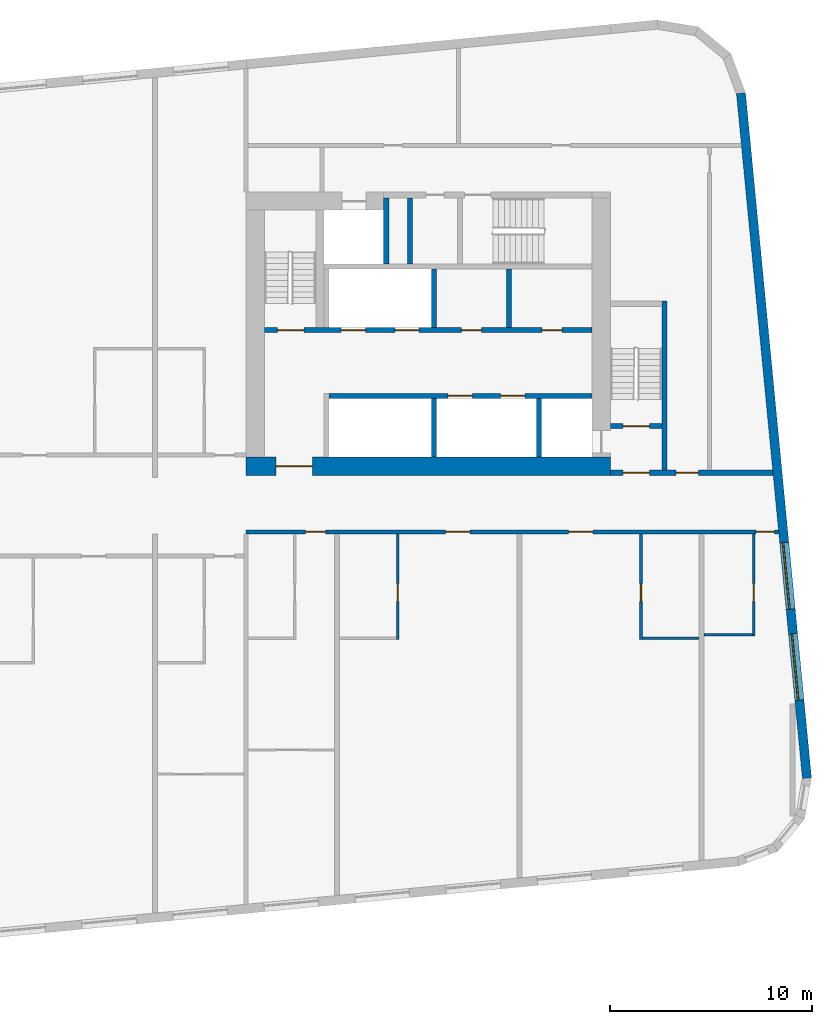
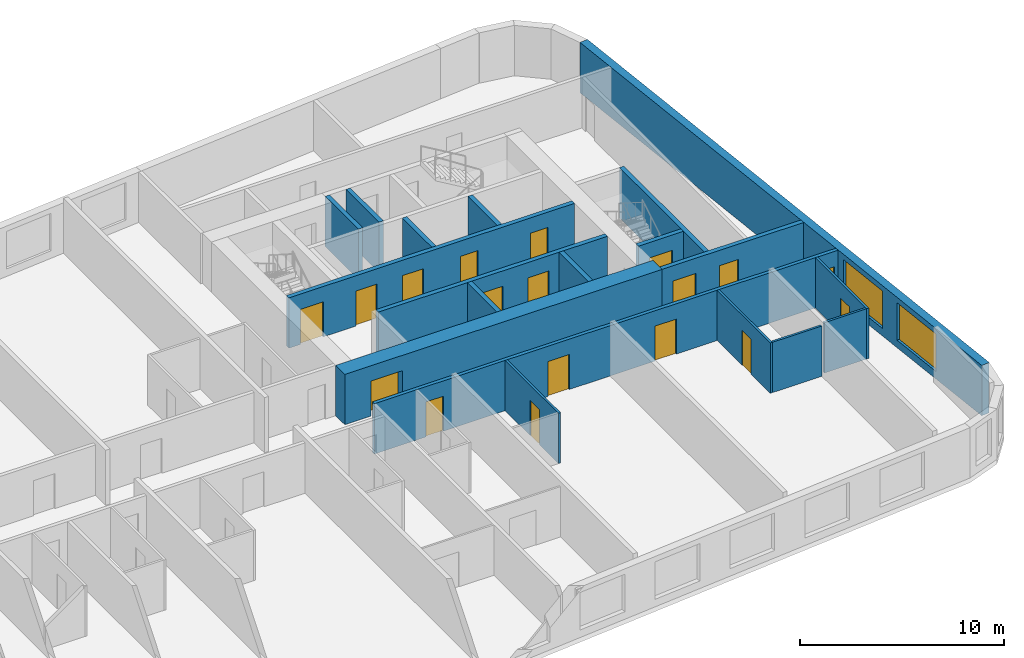
# One storey, part 7 of 12: 19 walls, 18 doors, 2 windows, 20 openings.
"""IFC4 building model written with IfcOpenShell, lengths in metres."""

from ifc_helpers import new_model, si_unit, direction, frame, frame_2d, origin, place, context, subcontext, project, spatial, rectangle, extrude, material, layer, layer_set, type_object, element, fill, save


model = new_model("IFC4")

# Units and contexts
model_context = context("Model", 3, precision=1e-05, world=origin(), true_north=direction((0.0, 1.0)))
body_context = subcontext(model_context, "Body", "Model", "MODEL_VIEW")
ifc_project = project(units=[si_unit("LENGTHUNIT", "METRE"), si_unit("AREAUNIT", "SQUARE_METRE"), si_unit("VOLUMEUNIT", "CUBIC_METRE"), si_unit("PLANEANGLEUNIT", "RADIAN"), si_unit("MASSUNIT", "GRAM", prefix="KILO")], contexts=[model_context])

# Site, building, storey
site_placement = place(None, origin())
site = spatial("IfcSite", under=ifc_project, at=site_placement, CompositionType="ELEMENT")
building_placement = place(site_placement, origin())
building = spatial("IfcBuilding", under=site, at=building_placement, Name="Kajstack Hotel Tower", CompositionType="ELEMENT")
storey_placement = place(building_placement, frame((0.0, 0.0, 183.39990234375)))
storey = spatial("IfcBuildingStorey", under=building, at=storey_placement, Name="L43", CompositionType="ELEMENT", Elevation=183.39990234375)

# Wall, opening, door
ifc_material_1 = material(Name="Concrete C60/75", Category="concrete")
ifc_layer_1 = layer(ifc_material_1, 0.89990234375)
ifc_layer_set_1 = layer_set([ifc_layer_1], Name="Core wall 900")
wall_type_1 = type_object("IfcWallType", Name="Core wall 900", PredefinedType="SHEAR", material=ifc_layer_set_1)
wall_1_placement = place(storey_placement, frame((13.5, 1.949951171875, 0.0), z_axis=(0.0, 0.0, 1.0), x_axis=(1.0, 0.0, 0.0)))
wall_1 = element("IfcWall", 1, at=wall_1_placement, inside=storey, type_object=wall_type_1, Name="Core wall E RN", PredefinedType="SHEAR", context=body_context, shape_type="SweptSolid", body=[
    extrude(rectangle(XDim=18.0, YDim=0.89990234375, at=frame_2d((9.0, 0.0))), origin(), (0.0, 0.0, 1.0), 3.02001953125),
])
opening_1_placement = place(wall_1_placement, frame((1.47509765625, 0.0, 0.0)))
opening_1 = element("IfcOpeningElement", 2, at=opening_1_placement, cuts=wall_1, Name="Opening 43E07", PredefinedType="OPENING", context=body_context, shape_type="SweptSolid", body=[
    extrude(rectangle(XDim=1.800048828125, YDim=2.10009765625, at=frame_2d((0.89990234375, 1.050048828125))), frame((0.0, 0.4599609375, 0.0), z_axis=(0.0, -1.0, 0.0), x_axis=(1.0, 0.0, 0.0)), (0.0, 0.0, 1.0), 0.919921875),
])
ifc_material_2 = material(Name="Glazed steel frame, fire-rated glass", Category="steel")
door_type_1 = type_object("IfcDoorType", Name="Lobby double door 1800", OperationType="DOUBLE_DOOR_DOUBLE_SWING", PredefinedType="DOOR", material=ifc_material_2)
door_1_placement = place(opening_1_placement, origin())
door_1 = element("IfcDoor", 3, at=door_1_placement, inside=storey, type_object=door_type_1, Name="Door 43E07", OperationType="DOUBLE_DOOR_DOUBLE_SWING", OverallHeight=2.10009765625, OverallWidth=1.800048828125, PredefinedType="DOOR", context=body_context, shape_type="SweptSolid", body=[
    extrude(rectangle(XDim=1.800048828125, YDim=2.10009765625, at=frame_2d((0.89990234375, 1.050048828125))), frame((0.0, 0.02490234375, 0.0), z_axis=(0.0, -1.0, 0.0), x_axis=(1.0, 0.0, 0.0)), (0.0, 0.0, 1.0), 0.050048828125),
])
fill(opening_1, door_1)

# Wall, openings, doors
ifc_material_3 = material(Name="Gypsum board on steel studs, mineral wool", Category="steel")
ifc_layer_2 = layer(ifc_material_3, 0.199951171875)
ifc_layer_set_2 = layer_set([ifc_layer_2], Name="Corridor wall 200")
wall_type_2 = type_object("IfcWallType", Name="Corridor wall 200", PredefinedType="PARTITIONING", material=ifc_layer_set_2)
wall_2_placement = place(storey_placement, frame((13.5, -1.300048828125, 0.0), z_axis=(0.0, 0.0, 1.0), x_axis=(1.0, 0.0, 0.0)))
wall_2 = element("IfcWall", 4, at=wall_2_placement, inside=storey, type_object=wall_type_2, Name="G-wall-L43-026", PredefinedType="PARTITIONING", context=body_context, shape_type="SweptSolid", body=[
    extrude(rectangle(XDim=26.31689453125, YDim=0.199951171875, at=frame_2d((13.158447265625, 0.0))), origin(), (0.0, 0.0, 1.0), 3.02001953125),
])
opening_2_placement = place(wall_2_placement, frame((2.925048828125, 0.0, 0.0)))
opening_2 = element("IfcOpeningElement", 5, at=opening_2_placement, cuts=wall_2, Name="Opening 43031", PredefinedType="OPENING", context=body_context, shape_type="SweptSolid", body=[
    extrude(rectangle(XDim=1.0, YDim=2.10009765625, at=frame_2d((0.5, 1.050048828125))), frame((0.0, 0.10986328125, 0.0), z_axis=(0.0, -1.0, 0.0), x_axis=(1.0, 0.0, 0.0)), (0.0, 0.0, 1.0), 0.219970703125),
])
opening_3_placement = place(wall_2_placement, frame((9.862060546875, 0.0, 0.0)))
opening_3 = element("IfcOpeningElement", 6, at=opening_3_placement, cuts=wall_2, Name="Opening 43034", PredefinedType="OPENING", context=body_context, shape_type="SweptSolid", body=[
    extrude(rectangle(XDim=1.199951171875, YDim=2.10009765625, at=frame_2d((0.60009765625, 1.050048828125))), frame((0.0, 0.10986328125, 0.0), z_axis=(0.0, -1.0, 0.0), x_axis=(1.0, 0.0, 0.0)), (0.0, 0.0, 1.0), 0.219970703125),
])
opening_4_placement = place(wall_2_placement, frame((15.93798828125, 0.0, 0.0)))
opening_4 = element("IfcOpeningElement", 7, at=opening_4_placement, cuts=wall_2, Name="Opening 43036", PredefinedType="OPENING", context=body_context, shape_type="SweptSolid", body=[
    extrude(rectangle(XDim=1.199951171875, YDim=2.10009765625, at=frame_2d((0.60009765625, 1.050048828125))), frame((0.0, 0.10986328125, 0.0), z_axis=(0.0, -1.0, 0.0), x_axis=(1.0, 0.0, 0.0)), (0.0, 0.0, 1.0), 0.219970703125),
])
opening_5_placement = place(wall_2_placement, frame((25.2080078125, 0.0, 0.0)))
opening_5 = element("IfcOpeningElement", 8, at=opening_5_placement, cuts=wall_2, Name="Opening 43038", PredefinedType="OPENING", context=body_context, shape_type="SweptSolid", body=[
    extrude(rectangle(XDim=0.89990234375, YDim=2.10009765625, at=frame_2d((0.449951171875, 1.050048828125))), frame((0.0, 0.10986328125, 0.0), z_axis=(0.0, -1.0, 0.0), x_axis=(1.0, 0.0, 0.0)), (0.0, 0.0, 1.0), 0.219970703125),
])
ifc_material_4 = material(Name="Oak veneer on timber core, fire-rated leaf", Category="wood")
door_type_2 = type_object("IfcDoorType", Name="Flat entrance door 1000", OperationType="SINGLE_SWING_LEFT", PredefinedType="DOOR", material=ifc_material_4)
door_2_placement = place(opening_2_placement, origin())
door_2 = element("IfcDoor", 9, at=door_2_placement, inside=storey, type_object=door_type_2, Name="G-door-L43-31", OperationType="SINGLE_SWING_LEFT", OverallHeight=2.10009765625, OverallWidth=1.0, PredefinedType="DOOR", context=body_context, shape_type="SweptSolid", body=[
    extrude(rectangle(XDim=1.0, YDim=2.10009765625, at=frame_2d((0.5, 1.050048828125))), frame((0.0, 0.02490234375, 0.0), z_axis=(0.0, -1.0, 0.0), x_axis=(1.0, 0.0, 0.0)), (0.0, 0.0, 1.0), 0.050048828125),
])
fill(opening_2, door_2)
door_type_3 = type_object("IfcDoorType", Name="Flat entrance door 1200", OperationType="SINGLE_SWING_LEFT", PredefinedType="DOOR", material=ifc_material_4)
door_3_placement = place(opening_3_placement, origin())
door_3 = element("IfcDoor", 10, at=door_3_placement, inside=storey, type_object=door_type_3, Name="G-door-L43-34", OperationType="SINGLE_SWING_LEFT", OverallHeight=2.10009765625, OverallWidth=1.199951171875, PredefinedType="DOOR", context=body_context, shape_type="SweptSolid", body=[
    extrude(rectangle(XDim=1.199951171875, YDim=2.10009765625, at=frame_2d((0.60009765625, 1.050048828125))), frame((0.0, 0.02490234375, 0.0), z_axis=(0.0, -1.0, 0.0), x_axis=(1.0, 0.0, 0.0)), (0.0, 0.0, 1.0), 0.050048828125),
])
fill(opening_3, door_3)
door_4_placement = place(opening_4_placement, origin())
door_4 = element("IfcDoor", 11, at=door_4_placement, inside=storey, type_object=door_type_3, Name="G-door-L43-36", OperationType="SINGLE_SWING_RIGHT", OverallHeight=2.10009765625, OverallWidth=1.199951171875, PredefinedType="DOOR", context=body_context, shape_type="SweptSolid", body=[
    extrude(rectangle(XDim=1.199951171875, YDim=2.10009765625, at=frame_2d((0.60009765625, 1.050048828125))), frame((0.0, 0.02490234375, 0.0), z_axis=(0.0, -1.0, 0.0), x_axis=(1.0, 0.0, 0.0)), (0.0, 0.0, 1.0), 0.050048828125),
])
fill(opening_4, door_4)
ifc_material_5 = material(Name="Painted timber door leaf", Category="wood")
door_type_4 = type_object("IfcDoorType", Name="Room door 900", OperationType="SINGLE_SWING_LEFT", PredefinedType="DOOR", material=ifc_material_5)
door_5_placement = place(opening_5_placement, origin())
door_5 = element("IfcDoor", 12, at=door_5_placement, inside=storey, type_object=door_type_4, Name="G-door-L43-38", OperationType="SINGLE_SWING_RIGHT", OverallHeight=2.10009765625, OverallWidth=0.89990234375, PredefinedType="DOOR", context=body_context, shape_type="SweptSolid", body=[
    extrude(rectangle(XDim=0.89990234375, YDim=2.10009765625, at=frame_2d((0.449951171875, 1.050048828125))), frame((0.0, 0.02490234375, 0.0), z_axis=(0.0, -1.0, 0.0), x_axis=(1.0, 0.0, 0.0)), (0.0, 0.0, 1.0), 0.050048828125),
])
fill(opening_5, door_5)

# Wall, openings, windows
ifc_material_6 = material(Name="Terracotta-faced brick masonry", Category="masonry")
ifc_layer_3 = layer(ifc_material_6, 0.449951171875)
ifc_layer_set_3 = layer_set([ifc_layer_3], Name="EW-TERRA")
wall_type_3 = type_object("IfcWallType", Name="EW-TERRA", PredefinedType="SOLIDWALL", material=ifc_layer_set_3)
wall_3_placement = place(storey_placement, frame((41.21435546875, -13.465576171875, 0.0), z_axis=(0.0, 0.0, 1.0), x_axis=(-0.095847314626, 0.995396047952, 0.0)))
wall_3 = element("IfcWall", 13, at=wall_3_placement, inside=storey, type_object=wall_type_3, Name="E-wall-L43-08-00", PredefinedType="SOLIDWALL", context=body_context, shape_type="SweptSolid", body=[
    extrude(rectangle(XDim=33.999755859375, YDim=0.449951171875, at=frame_2d((17.0, 0.0))), origin(), (0.0, 0.0, 1.0), 3.02001953125),
])
opening_6_placement = place(wall_3_placement, frame((3.869384765625, 0.0, 0.449951171875)))
opening_6 = element("IfcOpeningElement", 14, at=opening_6_placement, cuts=wall_3, Name="Opening W2", PredefinedType="OPENING", context=body_context, shape_type="SweptSolid", body=[
    extrude(rectangle(XDim=3.300048828125, YDim=2.25, at=frame_2d((1.64990234375, 1.125))), frame((0.0, 0.23486328125, 0.0), z_axis=(0.0, -1.0, 0.0), x_axis=(1.0, 0.0, 0.0)), (0.0, 0.0, 1.0), 0.469970703125),
])
opening_7_placement = place(wall_3_placement, frame((8.390380859375, 0.0, 0.449951171875)))
opening_7 = element("IfcOpeningElement", 15, at=opening_7_placement, cuts=wall_3, Name="Opening W2", PredefinedType="OPENING", context=body_context, shape_type="SweptSolid", body=[
    extrude(rectangle(XDim=3.300048828125, YDim=2.25, at=frame_2d((1.64990234375, 1.125))), frame((0.0, 0.23486328125, 0.0), z_axis=(0.0, -1.0, 0.0), x_axis=(1.0, 0.0, 0.0)), (0.0, 0.0, 1.0), 0.469970703125),
])
ifc_material_7 = material(Name="Timber-aluminium window, triple glazed", Category="wood")
window_type = type_object("IfcWindowType", Name="WG2", PartitioningType="SINGLE_PANEL", PredefinedType="WINDOW", material=ifc_material_7)
window_1_placement = place(opening_6_placement, origin())
window_1 = element("IfcWindow", 16, at=window_1_placement, inside=storey, type_object=window_type, Name="Window W2 L43-08", OverallHeight=2.25, OverallWidth=3.300048828125, PartitioningType="SINGLE_PANEL", PredefinedType="WINDOW", context=body_context, shape_type="SweptSolid", body=[
    extrude(rectangle(XDim=3.300048828125, YDim=2.25, at=frame_2d((1.64990234375, 1.125))), frame((0.0, 0.090087890625, 0.0), z_axis=(0.0, -1.0, 0.0), x_axis=(1.0, 0.0, 0.0)), (0.0, 0.0, 1.0), 0.06005859375),
])
fill(opening_6, window_1)
window_2_placement = place(opening_7_placement, origin())
window_2 = element("IfcWindow", 17, at=window_2_placement, inside=storey, type_object=window_type, Name="Window W2 L43-08", OverallHeight=2.25, OverallWidth=3.300048828125, PartitioningType="SINGLE_PANEL", PredefinedType="WINDOW", context=body_context, shape_type="SweptSolid", body=[
    extrude(rectangle(XDim=3.300048828125, YDim=2.25, at=frame_2d((1.64990234375, 1.125))), frame((0.0, 0.090087890625, 0.0), z_axis=(0.0, -1.0, 0.0), x_axis=(1.0, 0.0, 0.0)), (0.0, 0.0, 1.0), 0.06005859375),
])
fill(opening_7, window_2)

# Wall, opening, door
ifc_material_8 = material(Name="Gypsum board and tiled backer on steel studs", Category="steel")
ifc_layer_4 = layer(ifc_material_8, 0.125)
ifc_layer_set_4 = layer_set([ifc_layer_4], Name="En-suite wall 125")
wall_type_4 = type_object("IfcWallType", Name="En-suite wall 125", PredefinedType="PARTITIONING", material=ifc_layer_set_4)
wall_4_placement = place(storey_placement, frame((20.988037109375, -6.625, 0.0), z_axis=(0.0, 0.0, 1.0), x_axis=(0.0, 1.0, 0.0)))
wall_4 = element("IfcWall", 18, at=wall_4_placement, inside=storey, type_object=wall_type_4, Name="G-wall-L43-044", PredefinedType="PARTITIONING", context=body_context, shape_type="SweptSolid", body=[
    extrude(rectangle(XDim=5.22509765625, YDim=0.125, at=frame_2d((2.612548828125, 0.0))), origin(), (0.0, 0.0, 1.0), 3.02001953125),
])
opening_8_placement = place(wall_4_placement, frame((1.875, 0.0, 0.0)))
opening_8 = element("IfcOpeningElement", 19, at=opening_8_placement, cuts=wall_4, Name="Opening 43035", PredefinedType="OPENING", context=body_context, shape_type="SweptSolid", body=[
    extrude(rectangle(XDim=0.89990234375, YDim=2.10009765625, at=frame_2d((0.449951171875, 1.050048828125))), frame((0.0, 0.072509765625, 0.0), z_axis=(0.0, -1.0, 0.0), x_axis=(1.0, 0.0, 0.0)), (0.0, 0.0, 1.0), 0.14501953125),
])
door_6_placement = place(opening_8_placement, origin())
door_6 = element("IfcDoor", 20, at=door_6_placement, inside=storey, type_object=door_type_4, Name="G-door-L43-35", OperationType="SINGLE_SWING_RIGHT", OverallHeight=2.10009765625, OverallWidth=0.89990234375, PredefinedType="DOOR", context=body_context, shape_type="SweptSolid", body=[
    extrude(rectangle(XDim=0.89990234375, YDim=2.10009765625, at=frame_2d((0.449951171875, 1.050048828125))), frame((0.0, 0.02490234375, 0.0), z_axis=(0.0, -1.0, 0.0), x_axis=(1.0, 0.0, 0.0)), (0.0, 0.0, 1.0), 0.050048828125),
])
fill(opening_8, door_6)

wall_5_placement = place(storey_placement, frame((33.012939453125, -6.625, 0.0), z_axis=(0.0, 0.0, 1.0), x_axis=(0.0, 1.0, 0.0)))
wall_5 = element("IfcWall", 21, at=wall_5_placement, inside=storey, type_object=wall_type_4, Name="G-wall-L43-046", PredefinedType="PARTITIONING", context=body_context, shape_type="SweptSolid", body=[
    extrude(rectangle(XDim=5.22509765625, YDim=0.125, at=frame_2d((2.612548828125, 0.0))), origin(), (0.0, 0.0, 1.0), 3.02001953125),
])
opening_9_placement = place(wall_5_placement, frame((1.875, 0.0, 0.0)))
opening_9 = element("IfcOpeningElement", 22, at=opening_9_placement, cuts=wall_5, Name="Opening 43037", PredefinedType="OPENING", context=body_context, shape_type="SweptSolid", body=[
    extrude(rectangle(XDim=0.89990234375, YDim=2.10009765625, at=frame_2d((0.449951171875, 1.050048828125))), frame((0.0, 0.072509765625, 0.0), z_axis=(0.0, -1.0, 0.0), x_axis=(1.0, 0.0, 0.0)), (0.0, 0.0, 1.0), 0.14501953125),
])
door_7_placement = place(opening_9_placement, origin())
door_7 = element("IfcDoor", 23, at=door_7_placement, inside=storey, type_object=door_type_4, Name="G-door-L43-37", OperationType="SINGLE_SWING_LEFT", OverallHeight=2.10009765625, OverallWidth=0.89990234375, PredefinedType="DOOR", context=body_context, shape_type="SweptSolid", body=[
    extrude(rectangle(XDim=0.89990234375, YDim=2.10009765625, at=frame_2d((0.449951171875, 1.050048828125))), frame((0.0, 0.02490234375, 0.0), z_axis=(0.0, -1.0, 0.0), x_axis=(1.0, 0.0, 0.0)), (0.0, 0.0, 1.0), 0.050048828125),
])
fill(opening_9, door_7)

# Wall
wall_6_placement = place(storey_placement, frame((33.074951171875, -6.56201171875, 0.0), z_axis=(0.0, 0.0, 1.0), x_axis=(1.0, 0.0, 0.0)))
element("IfcWall", 24, at=wall_6_placement, inside=storey, type_object=wall_type_4, Name="G-wall-L43-047", PredefinedType="PARTITIONING", context=body_context, shape_type="SweptSolid", body=[
    extrude(rectangle(XDim=2.800048828125, YDim=0.125, at=frame_2d((1.39990234375, 0.0))), origin(), (0.0, 0.0, 1.0), 3.02001953125),
])

# Wall, opening, door
wall_7_placement = place(storey_placement, frame((38.5869140625, -6.445068359375, 0.0), z_axis=(0.0, 0.0, 1.0), x_axis=(0.0, 1.0, 0.0)))
wall_7 = element("IfcWall", 25, at=wall_7_placement, inside=storey, type_object=wall_type_4, Name="G-wall-L43-048", PredefinedType="PARTITIONING", context=body_context, shape_type="SweptSolid", body=[
    extrude(rectangle(XDim=5.045166015625, YDim=0.125, at=frame_2d((2.5224609375, 0.0))), origin(), (0.0, 0.0, 1.0), 3.02001953125),
])
opening_10_placement = place(wall_7_placement, frame((1.695068359375, 0.0, 0.0)))
opening_10 = element("IfcOpeningElement", 26, at=opening_10_placement, cuts=wall_7, Name="Opening 43039", PredefinedType="OPENING", context=body_context, shape_type="SweptSolid", body=[
    extrude(rectangle(XDim=0.89990234375, YDim=2.10009765625, at=frame_2d((0.449951171875, 1.050048828125))), frame((0.0, 0.072509765625, 0.0), z_axis=(0.0, -1.0, 0.0), x_axis=(1.0, 0.0, 0.0)), (0.0, 0.0, 1.0), 0.14501953125),
])
door_8_placement = place(opening_10_placement, origin())
door_8 = element("IfcDoor", 27, at=door_8_placement, inside=storey, type_object=door_type_4, Name="G-door-L43-39", OperationType="SINGLE_SWING_LEFT", OverallHeight=2.10009765625, OverallWidth=0.89990234375, PredefinedType="DOOR", context=body_context, shape_type="SweptSolid", body=[
    extrude(rectangle(XDim=0.89990234375, YDim=2.10009765625, at=frame_2d((0.449951171875, 1.050048828125))), frame((0.0, 0.02490234375, 0.0), z_axis=(0.0, -1.0, 0.0), x_axis=(1.0, 0.0, 0.0)), (0.0, 0.0, 1.0), 0.050048828125),
])
fill(opening_10, door_8)

# Walls
wall_8_placement = place(storey_placement, frame((36.125, -6.382080078125, 0.0), z_axis=(0.0, 0.0, 1.0), x_axis=(1.0, 0.0, 0.0)))
element("IfcWall", 28, at=wall_8_placement, inside=storey, type_object=wall_type_4, Name="G-wall-L43-049", PredefinedType="PARTITIONING", context=body_context, shape_type="SweptSolid", body=[
    extrude(rectangle(XDim=2.39990234375, YDim=0.125, at=frame_2d((1.199951171875, 0.0))), origin(), (0.0, 0.0, 1.0), 3.02001953125),
])
ifc_material_9 = material(Name="Concrete C50/60", Category="concrete")
ifc_layer_5 = layer(ifc_material_9, 0.300048828125)
ifc_layer_set_5 = layer_set([ifc_layer_5], Name="Hoistway divider wall 300")
wall_type_5 = type_object("IfcWallType", Name="Hoistway divider wall 300", PredefinedType="SHEAR", material=ifc_layer_set_5)
wall_9_placement = place(storey_placement, frame((22.77490234375, 2.39990234375, 0.0), z_axis=(0.0, 0.0, 1.0), x_axis=(0.0, 1.0, 0.0)))
element("IfcWall", 29, at=wall_9_placement, inside=storey, type_object=wall_type_5, Name="Core wall E AP2", PredefinedType="SHEAR", context=body_context, shape_type="SweptSolid", body=[
    extrude(rectangle(XDim=2.900146484375, YDim=0.25, at=frame_2d((1.4501953125, 0.0))), origin(), (0.0, 0.0, 1.0), 3.02001953125),
])
wall_10_placement = place(storey_placement, frame((22.77490234375, 8.800048828125, 0.0), z_axis=(0.0, 0.0, 1.0), x_axis=(0.0, 1.0, 0.0)))
element("IfcWall", 30, at=wall_10_placement, inside=storey, type_object=wall_type_5, Name="Core wall E BP2", PredefinedType="SHEAR", context=body_context, shape_type="SweptSolid", body=[
    extrude(rectangle(XDim=2.89990234375, YDim=0.25, at=frame_2d((1.449951171875, 0.0))), origin(), (0.0, 0.0, 1.0), 3.02001953125),
])
ifc_material_10 = material(Name="Concrete block masonry", Category="masonry")
ifc_layer_6 = layer(ifc_material_10, 0.25)
ifc_layer_set_6 = layer_set([ifc_layer_6], Name="Riser partition 250")
wall_type_6 = type_object("IfcWallType", Name="Riser partition 250", PredefinedType="PARTITIONING", material=ifc_layer_set_6)
wall_11_placement = place(storey_placement, frame((26.5, 8.800048828125, 0.0), z_axis=(0.0, 0.0, 1.0), x_axis=(0.0, 1.0, 0.0)))
element("IfcWall", 31, at=wall_11_placement, inside=storey, type_object=wall_type_6, Name="Partition E BF0", PredefinedType="PARTITIONING", context=body_context, shape_type="SweptSolid", body=[
    extrude(rectangle(XDim=2.89990234375, YDim=0.25, at=frame_2d((1.449951171875, 0.0))), origin(), (0.0, 0.0, 1.0), 3.02001953125),
])
wall_12_placement = place(storey_placement, frame((21.60009765625, 11.949951171875, 0.0), z_axis=(0.0, 0.0, 1.0), x_axis=(0.0, 1.0, 0.0)))
element("IfcWall", 32, at=wall_12_placement, inside=storey, type_object=wall_type_6, Name="Partition E SZ0", PredefinedType="PARTITIONING", context=body_context, shape_type="SweptSolid", body=[
    extrude(rectangle(XDim=3.25, YDim=0.25, at=frame_2d((1.625, 0.0))), origin(), (0.0, 0.0, 1.0), 3.02001953125),
])

# Wall, openings, doors
ifc_layer_7 = layer(ifc_material_3, 0.199951171875)
ifc_layer_set_7 = layer_set([ifc_layer_7], Name="Service partition 200")
wall_type_7 = type_object("IfcWallType", Name="Service partition 200", PredefinedType="PARTITIONING", material=ifc_layer_set_7)
wall_13_placement = place(storey_placement, frame((31.5, 1.625, 0.0), z_axis=(0.0, 0.0, 1.0), x_axis=(1.0, 0.0, 0.0)))
wall_13 = element("IfcWall", 33, at=wall_13_placement, inside=storey, type_object=wall_type_7, Name="Partition E SN", PredefinedType="PARTITIONING", context=body_context, shape_type="SweptSolid", body=[
    extrude(rectangle(XDim=8.035400390625, YDim=0.25, at=frame_2d((4.017578125, 0.0))), origin(), (0.0, 0.0, 1.0), 3.02001953125),
])
opening_11_placement = place(wall_13_placement, frame((0.625, 0.0, 0.0)))
opening_11 = element("IfcOpeningElement", 34, at=opening_11_placement, cuts=wall_13, Name="Opening 43E08", PredefinedType="OPENING", context=body_context, shape_type="SweptSolid", body=[
    extrude(rectangle(XDim=1.300048828125, YDim=2.10009765625, at=frame_2d((0.64990234375, 1.050048828125))), frame((0.0, 0.135009765625, 0.0), z_axis=(0.0, -1.0, 0.0), x_axis=(1.0, 0.0, 0.0)), (0.0, 0.0, 1.0), 0.27001953125),
])
opening_12_placement = place(wall_13_placement, frame((3.25, 0.0, 0.0)))
opening_12 = element("IfcOpeningElement", 35, at=opening_12_placement, cuts=wall_13, Name="Opening 43E10", PredefinedType="OPENING", context=body_context, shape_type="SweptSolid", body=[
    extrude(rectangle(XDim=1.10009765625, YDim=2.10009765625, at=frame_2d((0.550048828125, 1.050048828125))), frame((0.0, 0.135009765625, 0.0), z_axis=(0.0, -1.0, 0.0), x_axis=(1.0, 0.0, 0.0)), (0.0, 0.0, 1.0), 0.27001953125),
])
ifc_material_11 = material(Name="Steel leaf, fire-rated", Category="steel")
door_type_5 = type_object("IfcDoorType", Name="Fire lobby door 1300", OperationType="SINGLE_SWING_LEFT", PredefinedType="DOOR", material=ifc_material_11)
door_9_placement = place(opening_11_placement, origin())
door_9 = element("IfcDoor", 36, at=door_9_placement, inside=storey, type_object=door_type_5, Name="Door 43E08", OperationType="SINGLE_SWING_LEFT", OverallHeight=2.10009765625, OverallWidth=1.300048828125, PredefinedType="DOOR", context=body_context, shape_type="SweptSolid", body=[
    extrude(rectangle(XDim=1.300048828125, YDim=2.10009765625, at=frame_2d((0.64990234375, 1.050048828125))), frame((0.0, 0.02490234375, 0.0), z_axis=(0.0, -1.0, 0.0), x_axis=(1.0, 0.0, 0.0)), (0.0, 0.0, 1.0), 0.050048828125),
])
fill(opening_11, door_9)
ifc_material_12 = material(Name="Timber leaf, fire-rated", Category="wood")
door_type_6 = type_object("IfcDoorType", Name="Service corridor door 1100", OperationType="SINGLE_SWING_LEFT", PredefinedType="DOOR", material=ifc_material_12)
door_10_placement = place(opening_12_placement, origin())
door_10 = element("IfcDoor", 37, at=door_10_placement, inside=storey, type_object=door_type_6, Name="Door 43E10", OperationType="SINGLE_SWING_LEFT", OverallHeight=2.10009765625, OverallWidth=1.10009765625, PredefinedType="DOOR", context=body_context, shape_type="SweptSolid", body=[
    extrude(rectangle(XDim=1.10009765625, YDim=2.10009765625, at=frame_2d((0.550048828125, 1.050048828125))), frame((0.0, 0.02490234375, 0.0), z_axis=(0.0, -1.0, 0.0), x_axis=(1.0, 0.0, 0.0)), (0.0, 0.0, 1.0), 0.050048828125),
])
fill(opening_12, door_10)

ifc_layer_8 = layer(ifc_material_9, 0.25)
ifc_layer_set_8 = layer_set([ifc_layer_8], Name="Shaft wall 250")
wall_type_8 = type_object("IfcWallType", Name="Shaft wall 250", PredefinedType="SHEAR", material=ifc_layer_set_8)
wall_14_placement = place(storey_placement, frame((17.60009765625, 5.425048828125, 0.0), z_axis=(0.0, 0.0, 1.0), x_axis=(1.0, 0.0, 0.0)))
wall_14 = element("IfcWall", 38, at=wall_14_placement, inside=storey, type_object=wall_type_8, Name="Core wall E FA", PredefinedType="SHEAR", context=body_context, shape_type="SweptSolid", body=[
    extrude(rectangle(XDim=13.0, YDim=0.25, at=frame_2d((6.5, 0.0))), origin(), (0.0, 0.0, 1.0), 3.02001953125),
])
opening_13_placement = place(wall_14_placement, frame((8.47509765625, 0.0, 0.0)))
opening_13 = element("IfcOpeningElement", 39, at=opening_13_placement, cuts=wall_14, Name="Opening LD-MR7", PredefinedType="OPENING", context=body_context, shape_type="SweptSolid", body=[
    extrude(rectangle(XDim=1.199951171875, YDim=2.10009765625, at=frame_2d((0.60009765625, 1.050048828125))), frame((0.0, 0.135009765625, 0.0), z_axis=(0.0, -1.0, 0.0), x_axis=(1.0, 0.0, 0.0)), (0.0, 0.0, 1.0), 0.27001953125),
])
opening_14_placement = place(wall_14_placement, frame((5.875, 0.0, 0.0)))
opening_14 = element("IfcOpeningElement", 40, at=opening_14_placement, cuts=wall_14, Name="Opening LD-MR8", PredefinedType="OPENING", context=body_context, shape_type="SweptSolid", body=[
    extrude(rectangle(XDim=1.199951171875, YDim=2.10009765625, at=frame_2d((0.60009765625, 1.050048828125))), frame((0.0, 0.135009765625, 0.0), z_axis=(0.0, -1.0, 0.0), x_axis=(1.0, 0.0, 0.0)), (0.0, 0.0, 1.0), 0.27001953125),
])
ifc_material_13 = material(Name="Stainless steel", Category="steel")
door_type_7 = type_object("IfcDoorType", Name="Lift landing door 1200", OperationType="SLIDING_TO_LEFT", PredefinedType="DOOR", material=ifc_material_13)
door_11_placement = place(opening_13_placement, origin())
door_11 = element("IfcDoor", 41, at=door_11_placement, inside=storey, type_object=door_type_7, Name="Landing door MR7", OperationType="SLIDING_TO_LEFT", OverallHeight=2.10009765625, OverallWidth=1.199951171875, PredefinedType="DOOR", context=body_context, shape_type="SweptSolid", body=[
    extrude(rectangle(XDim=1.199951171875, YDim=2.10009765625, at=frame_2d((0.60009765625, 1.050048828125))), frame((0.0, 0.02490234375, 0.0), z_axis=(0.0, -1.0, 0.0), x_axis=(1.0, 0.0, 0.0)), (0.0, 0.0, 1.0), 0.050048828125),
])
fill(opening_13, door_11)
door_12_placement = place(opening_14_placement, origin())
door_12 = element("IfcDoor", 42, at=door_12_placement, inside=storey, type_object=door_type_7, Name="Landing door MR8", OperationType="SLIDING_TO_RIGHT", OverallHeight=2.10009765625, OverallWidth=1.199951171875, PredefinedType="DOOR", context=body_context, shape_type="SweptSolid", body=[
    extrude(rectangle(XDim=1.199951171875, YDim=2.10009765625, at=frame_2d((0.60009765625, 1.050048828125))), frame((0.0, 0.02490234375, 0.0), z_axis=(0.0, -1.0, 0.0), x_axis=(1.0, 0.0, 0.0)), (0.0, 0.0, 1.0), 0.050048828125),
])
fill(opening_14, door_12)

# Wall
wall_15_placement = place(storey_placement, frame((27.97509765625, 2.39990234375, 0.0), z_axis=(0.0, 0.0, 1.0), x_axis=(0.0, 1.0, 0.0)))
element("IfcWall", 43, at=wall_15_placement, inside=storey, type_object=wall_type_8, Name="Core wall E AP0", PredefinedType="SHEAR", context=body_context, shape_type="SweptSolid", body=[
    extrude(rectangle(XDim=2.900146484375, YDim=0.25, at=frame_2d((1.4501953125, 0.0))), origin(), (0.0, 0.0, 1.0), 3.02001953125),
])

# Wall, openings, doors
wall_16_placement = place(storey_placement, frame((14.39990234375, 8.675048828125, 0.0), z_axis=(0.0, 0.0, 1.0), x_axis=(1.0, 0.0, 0.0)))
wall_16 = element("IfcWall", 44, at=wall_16_placement, inside=storey, type_object=wall_type_8, Name="Core wall E FB", PredefinedType="SHEAR", context=body_context, shape_type="SweptSolid", body=[
    extrude(rectangle(XDim=16.2001953125, YDim=0.25, at=frame_2d((8.10009765625, 0.0))), origin(), (0.0, 0.0, 1.0), 3.02001953125),
])
opening_15_placement = place(wall_16_placement, frame((6.449951171875, 0.0, 0.0)))
opening_15 = element("IfcOpeningElement", 45, at=opening_15_placement, cuts=wall_16, Name="Opening LD-MR5", PredefinedType="OPENING", context=body_context, shape_type="SweptSolid", body=[
    extrude(rectangle(XDim=1.199951171875, YDim=2.10009765625, at=frame_2d((0.60009765625, 1.050048828125))), frame((0.0, 0.135009765625, 0.0), z_axis=(0.0, -1.0, 0.0), x_axis=(1.0, 0.0, 0.0)), (0.0, 0.0, 1.0), 0.27001953125),
])
opening_16_placement = place(wall_16_placement, frame((3.800048828125, 0.0, 0.0)))
opening_16 = element("IfcOpeningElement", 46, at=opening_16_placement, cuts=wall_16, Name="Opening LD-MR6", PredefinedType="OPENING", context=body_context, shape_type="SweptSolid", body=[
    extrude(rectangle(XDim=1.199951171875, YDim=2.10009765625, at=frame_2d((0.60009765625, 1.050048828125))), frame((0.0, 0.135009765625, 0.0), z_axis=(0.0, -1.0, 0.0), x_axis=(1.0, 0.0, 0.0)), (0.0, 0.0, 1.0), 0.27001953125),
])
opening_17_placement = place(wall_16_placement, frame((0.64990234375, 0.0, 0.0)))
opening_17 = element("IfcOpeningElement", 47, at=opening_17_placement, cuts=wall_16, Name="Opening 43E11", PredefinedType="OPENING", context=body_context, shape_type="SweptSolid", body=[
    extrude(rectangle(XDim=1.300048828125, YDim=2.10009765625, at=frame_2d((0.64990234375, 1.050048828125))), frame((0.0, 0.135009765625, 0.0), z_axis=(0.0, -1.0, 0.0), x_axis=(1.0, 0.0, 0.0)), (0.0, 0.0, 1.0), 0.27001953125),
])
opening_18_placement = place(wall_16_placement, frame((13.71240234375, 0.0, 0.0)))
opening_18 = element("IfcOpeningElement", 48, at=opening_18_placement, cuts=wall_16, Name="Opening 43E14", PredefinedType="OPENING", context=body_context, shape_type="SweptSolid", body=[
    extrude(rectangle(XDim=1.0, YDim=2.10009765625, at=frame_2d((0.5, 1.050048828125))), frame((0.0, 0.135009765625, 0.0), z_axis=(0.0, -1.0, 0.0), x_axis=(1.0, 0.0, 0.0)), (0.0, 0.0, 1.0), 0.27001953125),
])
opening_19_placement = place(wall_16_placement, frame((9.737548828125, 0.0, 0.0)))
opening_19 = element("IfcOpeningElement", 49, at=opening_19_placement, cuts=wall_16, Name="Opening 43E15", PredefinedType="OPENING", context=body_context, shape_type="SweptSolid", body=[
    extrude(rectangle(XDim=1.0, YDim=2.10009765625, at=frame_2d((0.5, 1.050048828125))), frame((0.0, 0.135009765625, 0.0), z_axis=(0.0, -1.0, 0.0), x_axis=(1.0, 0.0, 0.0)), (0.0, 0.0, 1.0), 0.27001953125),
])
door_13_placement = place(opening_15_placement, origin())
door_13 = element("IfcDoor", 50, at=door_13_placement, inside=storey, type_object=door_type_7, Name="Landing door MR5", OperationType="SLIDING_TO_LEFT", OverallHeight=2.10009765625, OverallWidth=1.199951171875, PredefinedType="DOOR", context=body_context, shape_type="SweptSolid", body=[
    extrude(rectangle(XDim=1.199951171875, YDim=2.10009765625, at=frame_2d((0.60009765625, 1.050048828125))), frame((0.0, 0.02490234375, 0.0), z_axis=(0.0, -1.0, 0.0), x_axis=(1.0, 0.0, 0.0)), (0.0, 0.0, 1.0), 0.050048828125),
])
fill(opening_15, door_13)
door_14_placement = place(opening_16_placement, origin())
door_14 = element("IfcDoor", 51, at=door_14_placement, inside=storey, type_object=door_type_7, Name="Landing door MR6", OperationType="SLIDING_TO_RIGHT", OverallHeight=2.10009765625, OverallWidth=1.199951171875, PredefinedType="DOOR", context=body_context, shape_type="SweptSolid", body=[
    extrude(rectangle(XDim=1.199951171875, YDim=2.10009765625, at=frame_2d((0.60009765625, 1.050048828125))), frame((0.0, 0.02490234375, 0.0), z_axis=(0.0, -1.0, 0.0), x_axis=(1.0, 0.0, 0.0)), (0.0, 0.0, 1.0), 0.050048828125),
])
fill(opening_16, door_14)
door_type_8 = type_object("IfcDoorType", Name="Service room door 1000", OperationType="SINGLE_SWING_LEFT", PredefinedType="DOOR", material=ifc_material_12)
door_15_placement = place(opening_18_placement, origin())
door_15 = element("IfcDoor", 52, at=door_15_placement, inside=storey, type_object=door_type_8, Name="Door 43E14", OperationType="SINGLE_SWING_LEFT", OverallHeight=2.10009765625, OverallWidth=1.0, PredefinedType="DOOR", context=body_context, shape_type="SweptSolid", body=[
    extrude(rectangle(XDim=1.0, YDim=2.10009765625, at=frame_2d((0.5, 1.050048828125))), frame((0.0, 0.02490234375, 0.0), z_axis=(0.0, -1.0, 0.0), x_axis=(1.0, 0.0, 0.0)), (0.0, 0.0, 1.0), 0.050048828125),
])
fill(opening_18, door_15)
door_16_placement = place(opening_19_placement, origin())
door_16 = element("IfcDoor", 53, at=door_16_placement, inside=storey, type_object=door_type_8, Name="Door 43E15", OperationType="SINGLE_SWING_LEFT", OverallHeight=2.10009765625, OverallWidth=1.0, PredefinedType="DOOR", context=body_context, shape_type="SweptSolid", body=[
    extrude(rectangle(XDim=1.0, YDim=2.10009765625, at=frame_2d((0.5, 1.050048828125))), frame((0.0, 0.02490234375, 0.0), z_axis=(0.0, -1.0, 0.0), x_axis=(1.0, 0.0, 0.0)), (0.0, 0.0, 1.0), 0.050048828125),
])
fill(opening_19, door_16)
door_type_9 = type_object("IfcDoorType", Name="Stair door 1300", OperationType="SINGLE_SWING_LEFT", PredefinedType="DOOR", material=ifc_material_11)
door_17_placement = place(opening_17_placement, origin())
door_17 = element("IfcDoor", 54, at=door_17_placement, inside=storey, type_object=door_type_9, Name="Door 43E11", OperationType="SINGLE_SWING_LEFT", OverallHeight=2.10009765625, OverallWidth=1.300048828125, PredefinedType="DOOR", context=body_context, shape_type="SweptSolid", body=[
    extrude(rectangle(XDim=1.300048828125, YDim=2.10009765625, at=frame_2d((0.64990234375, 1.050048828125))), frame((0.0, 0.02490234375, 0.0), z_axis=(0.0, -1.0, 0.0), x_axis=(1.0, 0.0, 0.0)), (0.0, 0.0, 1.0), 0.050048828125),
])
fill(opening_17, door_17)

# Wall
wall_17_placement = place(storey_placement, frame((20.425048828125, 11.949951171875, 0.0), z_axis=(0.0, 0.0, 1.0), x_axis=(0.0, 1.0, 0.0)))
element("IfcWall", 55, at=wall_17_placement, inside=storey, type_object=wall_type_8, Name="Core wall E SVW", PredefinedType="SHEAR", context=body_context, shape_type="SweptSolid", body=[
    extrude(rectangle(XDim=3.25, YDim=0.25, at=frame_2d((1.625, 0.0))), origin(), (0.0, 0.0, 1.0), 3.02001953125),
])

# Wall, opening, door
ifc_material_14 = material(Name="Concrete C40/50", Category="concrete")
ifc_layer_9 = layer(ifc_material_14, 0.25)
ifc_layer_set_9 = layer_set([ifc_layer_9], Name="Stair enclosure wall 250")
wall_type_9 = type_object("IfcWallType", Name="Stair enclosure wall 250", PredefinedType="SHEAR", material=ifc_layer_set_9)
wall_18_placement = place(storey_placement, frame((31.5, 3.925048828125, 0.0), z_axis=(0.0, 0.0, 1.0), x_axis=(1.0, 0.0, 0.0)))
wall_18 = element("IfcWall", 56, at=wall_18_placement, inside=storey, type_object=wall_type_9, Name="Core wall E W1N", PredefinedType="SHEAR", context=body_context, shape_type="SweptSolid", body=[
    extrude(rectangle(XDim=2.550048828125, YDim=0.25, at=frame_2d((1.27490234375, 0.0))), origin(), (0.0, 0.0, 1.0), 3.02001953125),
])
opening_20_placement = place(wall_18_placement, frame((0.625, 0.0, 0.0)))
opening_20 = element("IfcOpeningElement", 57, at=opening_20_placement, cuts=wall_18, Name="Opening 43E09", PredefinedType="OPENING", context=body_context, shape_type="SweptSolid", body=[
    extrude(rectangle(XDim=1.300048828125, YDim=2.10009765625, at=frame_2d((0.64990234375, 1.050048828125))), frame((0.0, 0.135009765625, 0.0), z_axis=(0.0, -1.0, 0.0), x_axis=(1.0, 0.0, 0.0)), (0.0, 0.0, 1.0), 0.27001953125),
])
door_18_placement = place(opening_20_placement, origin())
door_18 = element("IfcDoor", 58, at=door_18_placement, inside=storey, type_object=door_type_9, Name="Door 43E09", OperationType="SINGLE_SWING_LEFT", OverallHeight=2.10009765625, OverallWidth=1.300048828125, PredefinedType="DOOR", context=body_context, shape_type="SweptSolid", body=[
    extrude(rectangle(XDim=1.300048828125, YDim=2.10009765625, at=frame_2d((0.64990234375, 1.050048828125))), frame((0.0, 0.02490234375, 0.0), z_axis=(0.0, -1.0, 0.0), x_axis=(1.0, 0.0, 0.0)), (0.0, 0.0, 1.0), 0.050048828125),
])
fill(opening_20, door_18)

# Wall
wall_19_placement = place(storey_placement, frame((34.175048828125, 1.75, 0.0), z_axis=(0.0, 0.0, 1.0), x_axis=(0.0, 1.0, 0.0)))
element("IfcWall", 59, at=wall_19_placement, inside=storey, type_object=wall_type_9, Name="Core wall E W1W", PredefinedType="SHEAR", context=body_context, shape_type="SweptSolid", body=[
    extrude(rectangle(XDim=8.35009765625, YDim=0.25, at=frame_2d((4.175048828125, 0.0))), origin(), (0.0, 0.0, 1.0), 3.02001953125),
])

save(model, "model.ifc")
